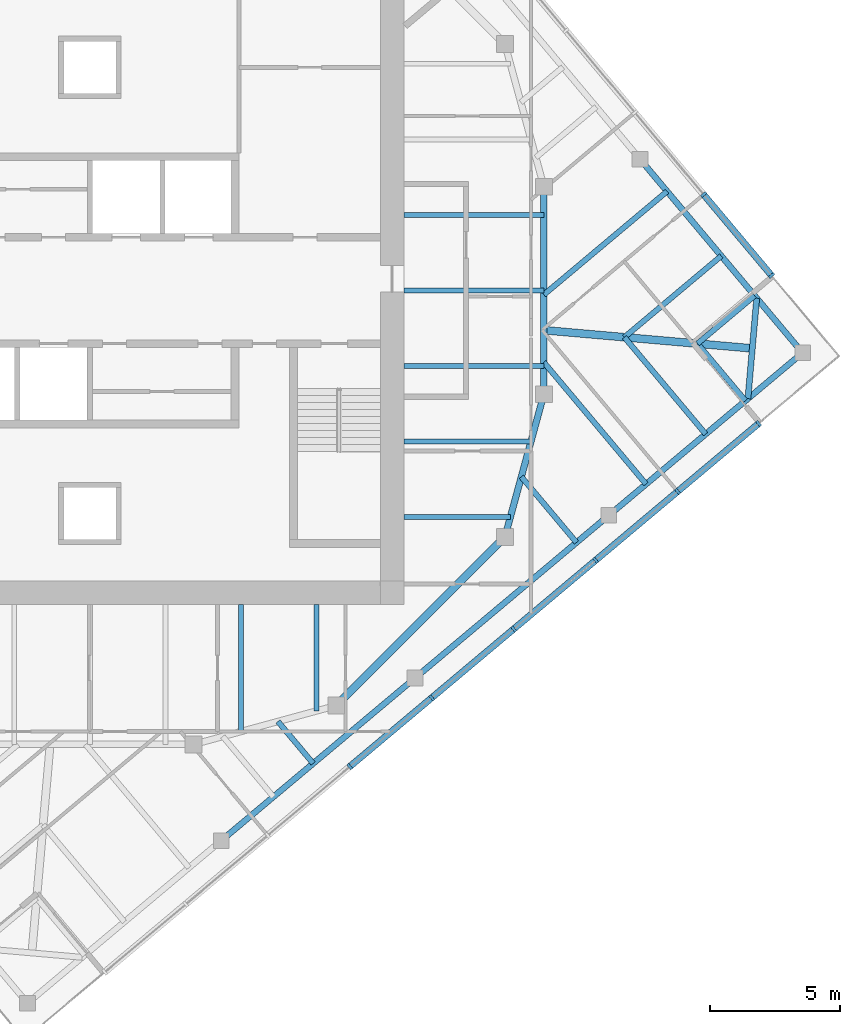
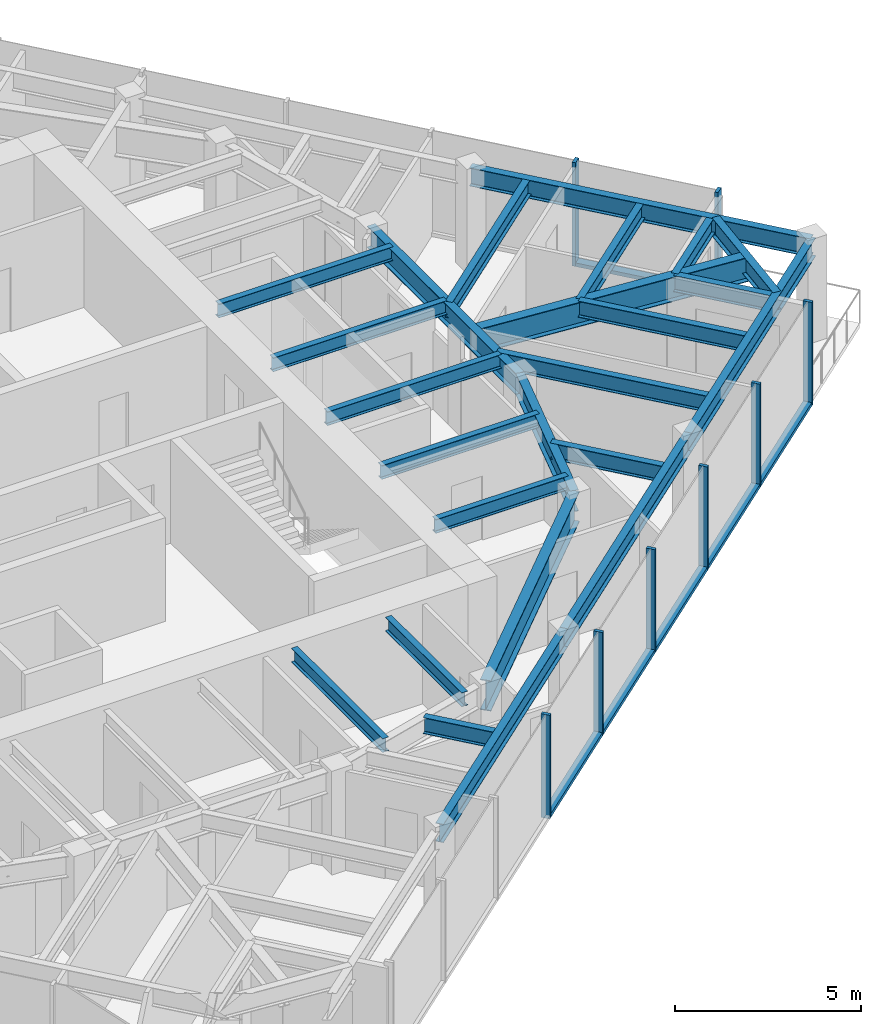
# One storey, part 3 of 12: 24 beams, 14 members, 2 elements without a shape of their own.
"""IFC4 building model written with IfcOpenShell, lengths in metres."""

from ifc_helpers import new_model, si_unit, direction, frame, origin, origin_2d, place, context, subcontext, project, spatial, rectangle, i_section, extrude, material, material_profile, profile_set, type_object, element, aggregate, save


model = new_model("IFC4")

# Units and contexts
model_context = context("Model", 3, precision=1e-05, world=origin(), true_north=direction((0.0, 1.0)))
body_context = subcontext(model_context, "Body", "Model", "MODEL_VIEW")
ifc_project = project(units=[si_unit("LENGTHUNIT", "METRE"), si_unit("AREAUNIT", "SQUARE_METRE"), si_unit("VOLUMEUNIT", "CUBIC_METRE"), si_unit("PLANEANGLEUNIT", "RADIAN"), si_unit("MASSUNIT", "GRAM", prefix="KILO")], contexts=[model_context])

# Site, building, storey
site_placement = place(None, origin())
site = spatial("IfcSite", under=ifc_project, at=site_placement, CompositionType="ELEMENT")
building_placement = place(site_placement, origin())
building = spatial("IfcBuilding", under=site, at=building_placement, Name="Torsade Residences", CompositionType="ELEMENT")
storey_placement = place(building_placement, frame((0.0, 0.0, 279.39990234375)))
storey = spatial("IfcBuildingStorey", under=building, at=storey_placement, Name="L77", CompositionType="ELEMENT", Elevation=279.39990234375)

# Beams
ifc_material_1 = material(Name="Steel grade 300", Category="steel")
ifc_material_profile_1 = material_profile(ifc_material_1, i_section(OverallWidth=0.300048828125, OverallDepth=0.800048828125, WebThickness=0.010009765625, FlangeThickness=0.02001953125, at=origin_2d()), Name="800WB146")
ifc_profile_set_1 = profile_set([ifc_material_profile_1], Name="Steel grade 300")
beam_type_1 = type_object("IfcBeamType", Name="CORNER GIRDER 800WB146", PredefinedType="BEAM", material=ifc_profile_set_1)
beam_1_placement = place(storey_placement, frame((65.53515625, 27.765869140625, 2.85009765625), z_axis=(-0.996193191806, 0.087172957961, 0.0), x_axis=(-0.087172957961, -0.996193191806, 0.0)))
element("IfcBeam", 1, at=beam_1_placement, inside=storey, type_object=beam_type_1, Name="Corner girder 05 L78", PredefinedType="BEAM", context=body_context, shape_type="SweptSolid", body=[
    extrude(i_section(OverallWidth=0.300048828125, OverallDepth=0.800048828125, WebThickness=0.010009765625, FlangeThickness=0.02001953125, at=origin_2d()), origin(), (0.0, 0.0, 1.0), 8.06591796875),
])
ifc_material_2 = material(Name="Steel grade 300", Category="steel")
ifc_material_profile_2 = material_profile(ifc_material_2, i_section(OverallWidth=0.22802734375, OverallDepth=0.60205078125, WebThickness=0.010498046875, FlangeThickness=0.014892578125, FilletRadius=0.013916015625, at=origin_2d()), Name="610UB101")
ifc_profile_set_2 = profile_set([ifc_material_profile_2], Name="Steel grade 300")
beam_type_2 = type_object("IfcBeamType", Name="CORNER TRIMMER 610UB101", PredefinedType="BEAM", material=ifc_profile_set_2)
beam_2_placement = place(storey_placement, frame((65.70458984375, 29.703125, 2.94921875), z_axis=(-0.087133464362, -0.996196646947, 0.0), x_axis=(0.996196646947, -0.087133464362, 0.0)))
element("IfcBeam", 2, at=beam_2_placement, inside=storey, type_object=beam_type_2, Name="Corner trimmer 05 L78", PredefinedType="BEAM", context=body_context, shape_type="SweptSolid", body=[
    extrude(i_section(OverallWidth=0.22802734375, OverallDepth=0.60205078125, WebThickness=0.010498046875, FlangeThickness=0.014892578125, FilletRadius=0.013916015625, at=origin_2d()), origin(), (0.0, 0.0, 1.0), 3.88916015625),
])
ifc_material_3 = material(Name="Steel grade 300", Category="steel")
ifc_material_profile_3 = material_profile(ifc_material_3, i_section(OverallWidth=0.22802734375, OverallDepth=0.60205078125, WebThickness=0.010498046875, FlangeThickness=0.014892578125, FilletRadius=0.013916015625, at=origin_2d()), Name="610UB101")
ifc_profile_set_3 = profile_set([ifc_material_profile_3], Name="Steel grade 300")
beam_type_3 = type_object("IfcBeamType", Name="EDGE BEAM 610UB101", PredefinedType="SPANDREL", material=ifc_profile_set_3)
for number, where, z_axis, x_axis, name in (
    (3, (45.0654296875, 8.794921875, 2.94921875), (0.766051532934, 0.642779160279, 0.0), (-0.642779160279, 0.766051532934, 0.0), "Edge beam 02 L78"),
    (4, (52.534423828125, 15.06201171875, 2.94921875), (0.766028856906, 0.642806184154, 0.0), (-0.642806184154, 0.766028856906, 0.0), "Edge beam 03 L78"),
    (5, (60.003173828125, 21.329345703125, 2.94921875), (0.766051532934, 0.642779160279, 0.0), (-0.642779160279, 0.766051532934, 0.0), "Edge beam 04 L78"),
    (6, (67.47216796875, 27.596435546875, 2.94921875), (-0.642779160279, 0.766051532934, 0.0), (-0.766051532934, -0.642779160279, 0.0), "Edge beam 05 L78"),
):
    element("IfcBeam", number, at=place(storey_placement, frame(where, z_axis=z_axis, x_axis=x_axis)), inside=storey, type_object=beam_type_3, Name=name, PredefinedType="SPANDREL", context=body_context, shape_type="SweptSolid", body=[
        extrude(i_section(OverallWidth=0.22802734375, OverallDepth=0.60205078125, WebThickness=0.010498046875, FlangeThickness=0.014892578125, FilletRadius=0.013916015625, at=origin_2d()), origin(), (0.0, 0.0, 1.0), 9.75),
    ])

# Curtain wall, members
ifc_material_4 = material(Name="Aluminium and glass", Category="aluminium")
curtain_wall_type = type_object("IfcCurtainWallType", Name="FRITTED GLASS CURTAIN WALL HIGH ZONE", PredefinedType="NOTDEFINED", material=ifc_material_4)
curtain_wall_1_placement = place(storey_placement, origin())
curtain_wall_1 = element("IfcCurtainWall", 7, at=curtain_wall_1_placement, inside=storey, type_object=curtain_wall_type, Name="Curtain wall L77 face 1", PredefinedType="NOTDEFINED")
ifc_material_5 = material(Name="Aluminium mullion", Category="aluminium")
ifc_material_profile_4 = material_profile(ifc_material_5, rectangle(XDim=0.25, YDim=0.10009765625, at=origin_2d()), Name="HIGH ZONE CURTAIN WALL MULLION 250x100")
ifc_profile_set_4 = profile_set([ifc_material_profile_4], Name="Aluminium mullion")
member_type_1 = type_object("IfcMemberType", Name="HIGH ZONE CURTAIN WALL MULLION 250x100", PredefinedType="MULLION", material=ifc_profile_set_4)
member_1_placement = place(storey_placement, frame((50.017333984375, 11.64453125, 0.0), z_axis=(0.0, 0.0, 1.0), x_axis=(-0.642787616853, 0.766044437106, 0.0)))
member_1 = element("IfcMember", 8, at=member_1_placement, type_object=member_type_1, Name="Mullion 4", PredefinedType="MULLION", context=body_context, shape_type="SweptSolid", body=[
    extrude(rectangle(XDim=0.25, YDim=0.10009765625, at=origin_2d()), origin(), (0.0, 0.0, 1.0), 3.400146484375),
])
member_2_placement = place(storey_placement, frame((53.17724609375, 14.296142578125, 0.0), z_axis=(0.0, 0.0, 1.0), x_axis=(-0.642787616853, 0.766044437106, 0.0)))
member_2 = element("IfcMember", 9, at=member_2_placement, type_object=member_type_1, Name="Mullion 5", PredefinedType="MULLION", context=body_context, shape_type="SweptSolid", body=[
    extrude(rectangle(XDim=0.25, YDim=0.10009765625, at=origin_2d()), origin(), (0.0, 0.0, 1.0), 3.400146484375),
])
member_3_placement = place(storey_placement, frame((56.337158203125, 16.947509765625, 0.0), z_axis=(0.0, 0.0, 1.0), x_axis=(-0.642787616853, 0.766044437106, 0.0)))
member_3 = element("IfcMember", 10, at=member_3_placement, type_object=member_type_1, Name="Mullion 6", PredefinedType="MULLION", context=body_context, shape_type="SweptSolid", body=[
    extrude(rectangle(XDim=0.25, YDim=0.10009765625, at=origin_2d()), origin(), (0.0, 0.0, 1.0), 3.400146484375),
])
member_4_placement = place(storey_placement, frame((59.4970703125, 19.59912109375, 0.0), z_axis=(0.0, 0.0, 1.0), x_axis=(-0.642787616853, 0.766044437106, 0.0)))
member_4 = element("IfcMember", 11, at=member_4_placement, type_object=member_type_1, Name="Mullion 7", PredefinedType="MULLION", context=body_context, shape_type="SweptSolid", body=[
    extrude(rectangle(XDim=0.25, YDim=0.10009765625, at=origin_2d()), origin(), (0.0, 0.0, 1.0), 3.400146484375),
])
member_5_placement = place(storey_placement, frame((62.656982421875, 22.25048828125, 0.0), z_axis=(0.0, 0.0, 1.0), x_axis=(-0.642787616853, 0.766044437106, 0.0)))
member_5 = element("IfcMember", 12, at=member_5_placement, type_object=member_type_1, Name="Mullion 8", PredefinedType="MULLION", context=body_context, shape_type="SweptSolid", body=[
    extrude(rectangle(XDim=0.25, YDim=0.10009765625, at=origin_2d()), origin(), (0.0, 0.0, 1.0), 3.400146484375),
])
member_6_placement = place(storey_placement, frame((65.778564453125, 24.869873046875, 0.0), z_axis=(0.0, 0.0, 1.0), x_axis=(-0.642787616853, 0.766044437106, 0.0)))
member_6 = element("IfcMember", 13, at=member_6_placement, type_object=member_type_1, Name="Mullion 9", PredefinedType="MULLION", context=body_context, shape_type="SweptSolid", body=[
    extrude(rectangle(XDim=0.25, YDim=0.10009765625, at=origin_2d()), origin(), (0.0, 0.0, 1.0), 3.400146484375),
])

curtain_wall_2_placement = place(storey_placement, origin())
curtain_wall_2 = element("IfcCurtainWall", 14, at=curtain_wall_2_placement, inside=storey, type_object=curtain_wall_type, Name="Curtain wall L77 face 4", PredefinedType="NOTDEFINED")
member_7_placement = place(storey_placement, frame((66.27783203125, 30.57568359375, 0.0), z_axis=(0.0, 0.0, 1.0), x_axis=(-0.766044437106, -0.642787616853, 0.0)))
member_7 = element("IfcMember", 15, at=member_7_placement, type_object=member_type_1, Name="Mullion 1", PredefinedType="MULLION", context=body_context, shape_type="SweptSolid", body=[
    extrude(rectangle(XDim=0.25, YDim=0.10009765625, at=origin_2d()), origin(), (0.0, 0.0, 1.0), 3.400146484375),
])
member_8_placement = place(storey_placement, frame((63.658447265625, 33.697265625, 0.0), z_axis=(0.0, 0.0, 1.0), x_axis=(-0.766044437106, -0.642787616853, 0.0)))
member_8 = element("IfcMember", 16, at=member_8_placement, type_object=member_type_1, Name="Mullion 2", PredefinedType="MULLION", context=body_context, shape_type="SweptSolid", body=[
    extrude(rectangle(XDim=0.25, YDim=0.10009765625, at=origin_2d()), origin(), (0.0, 0.0, 1.0), 3.400146484375),
])

# Member
ifc_material_6 = material(Name="Aluminium transom", Category="aluminium")
ifc_material_profile_5 = material_profile(ifc_material_6, rectangle(XDim=0.25, YDim=0.1201171875, at=origin_2d()), Name="HIGH ZONE CURTAIN WALL TRANSOM 250x120")
ifc_profile_set_5 = profile_set([ifc_material_profile_5], Name="Aluminium transom")
member_type_2 = type_object("IfcMemberType", Name="HIGH ZONE CURTAIN WALL TRANSOM 250x120", PredefinedType="USERDEFINED", material=ifc_profile_set_5)
member_9_placement = place(storey_placement, frame((50.055419921875, 11.6767578125, 0.06005859375), z_axis=(0.766069182322, 0.6427581255, 0.0), x_axis=(-0.6427581255, 0.766069182322, 0.0)))
member_9 = element("IfcMember", 17, at=member_9_placement, type_object=member_type_2, Name="Transom 4.1", ObjectType="TRANSOM", PredefinedType="USERDEFINED", context=body_context, shape_type="SweptSolid", body=[
    extrude(rectangle(XDim=0.25, YDim=0.1201171875, at=origin_2d()), origin(), (0.0, 0.0, 1.0), 4.025146484375),
])

member_10_placement = place(storey_placement, frame((53.21533203125, 14.328125, 0.06005859375), z_axis=(0.766039316443, 0.642793719372, 0.0), x_axis=(-0.642793719372, 0.766039316443, 0.0)))
member_10 = element("IfcMember", 18, at=member_10_placement, type_object=member_type_2, Name="Transom 5.1", ObjectType="TRANSOM", PredefinedType="USERDEFINED", context=body_context, shape_type="SweptSolid", body=[
    extrude(rectangle(XDim=0.25, YDim=0.1201171875, at=origin_2d()), origin(), (0.0, 0.0, 1.0), 4.025146484375),
])

member_11_placement = place(storey_placement, frame((56.37548828125, 16.979736328125, 0.06005859375), z_axis=(0.766044121803, 0.642787992616, 0.0), x_axis=(-0.642787992616, 0.766044121803, 0.0)))
member_11 = element("IfcMember", 19, at=member_11_placement, type_object=member_type_2, Name="Transom 6.1", ObjectType="TRANSOM", PredefinedType="USERDEFINED", context=body_context, shape_type="SweptSolid", body=[
    extrude(rectangle(XDim=0.25, YDim=0.1201171875, at=origin_2d()), origin(), (0.0, 0.0, 1.0), 4.02490234375),
])

member_12_placement = place(storey_placement, frame((59.535400390625, 19.63134765625, 0.06005859375), z_axis=(0.766044121803, 0.642787992616, 0.0), x_axis=(-0.642787992616, 0.766044121803, 0.0)))
member_12 = element("IfcMember", 20, at=member_12_placement, type_object=member_type_2, Name="Transom 7.1", ObjectType="TRANSOM", PredefinedType="USERDEFINED", context=body_context, shape_type="SweptSolid", body=[
    extrude(rectangle(XDim=0.25, YDim=0.1201171875, at=origin_2d()), origin(), (0.0, 0.0, 1.0), 4.02490234375),
])

member_13_placement = place(storey_placement, frame((62.6953125, 22.28271484375, 0.06005859375), z_axis=(0.766021778456, 0.642814619413, 0.0), x_axis=(-0.642814619413, 0.766021778456, 0.0)))
member_13 = element("IfcMember", 21, at=member_13_placement, type_object=member_type_2, Name="Transom 8.1", ObjectType="TRANSOM", PredefinedType="USERDEFINED", context=body_context, shape_type="SweptSolid", body=[
    extrude(rectangle(XDim=0.25, YDim=0.1201171875, at=origin_2d()), origin(), (0.0, 0.0, 1.0), 3.97509765625),
])

aggregate(curtain_wall_1, [member_1, member_2, member_3, member_4, member_5, member_6, member_9, member_10, member_11, member_12, member_13])

member_14_placement = place(storey_placement, frame((66.24560546875, 30.614013671875, 0.06005859375), z_axis=(-0.642814619413, 0.766021778456, 0.0), x_axis=(-0.766021778456, -0.642814619413, 0.0)))
member_14 = element("IfcMember", 22, at=member_14_placement, type_object=member_type_2, Name="Transom 1.1", ObjectType="TRANSOM", PredefinedType="USERDEFINED", context=body_context, shape_type="SweptSolid", body=[
    extrude(rectangle(XDim=0.25, YDim=0.1201171875, at=origin_2d()), origin(), (0.0, 0.0, 1.0), 3.97509765625),
])

aggregate(curtain_wall_2, [member_7, member_8, member_14])

# Beams
ifc_material_7 = material(Name="Steel grade 300", Category="steel")
ifc_material_profile_6 = material_profile(ifc_material_7, i_section(OverallWidth=0.18994140625, OverallDepth=0.4541015625, WebThickness=0.008544921875, FlangeThickness=0.0126953125, FilletRadius=0.011474609375, at=origin_2d()), Name="460UB67.1")
ifc_profile_set_6 = profile_set([ifc_material_profile_6], Name="Steel grade 300")
beam_type_4 = type_object("IfcBeamType", Name="INNER FLOOR BEAM 460UB67.1", PredefinedType="JOIST", material=ifc_profile_set_6)
beam_3_placement = place(storey_placement, frame((48.737548828125, 17.89990234375, 3.023193359375), z_axis=(0.0, -1.0, 0.0), x_axis=(1.0, 0.0, 0.0)))
element("IfcBeam", 23, at=beam_3_placement, inside=storey, type_object=beam_type_4, Name="Inner floor beam IS01 L78", PredefinedType="JOIST", context=body_context, shape_type="SweptSolid", body=[
    extrude(i_section(OverallWidth=0.18994140625, OverallDepth=0.4541015625, WebThickness=0.008544921875, FlangeThickness=0.0126953125, FilletRadius=0.011474609375, at=origin_2d()), origin(), (0.0, 0.0, 1.0), 4.10791015625),
])
beam_4_placement = place(storey_placement, frame((45.824951171875, 17.89990234375, 3.023193359375), z_axis=(0.0, -1.0, 0.0), x_axis=(1.0, 0.0, 0.0)))
element("IfcBeam", 24, at=beam_4_placement, inside=storey, type_object=beam_type_4, Name="Inner floor beam IS02 L78", PredefinedType="JOIST", context=body_context, shape_type="SweptSolid", body=[
    extrude(i_section(OverallWidth=0.18994140625, OverallDepth=0.4541015625, WebThickness=0.008544921875, FlangeThickness=0.0126953125, FilletRadius=0.011474609375, at=origin_2d()), origin(), (0.0, 0.0, 1.0), 4.902099609375),
])
beam_5_placement = place(storey_placement, frame((52.10009765625, 21.262451171875, 3.023193359375), z_axis=(1.0, 0.0, 0.0), x_axis=(0.0, 1.0, 0.0)))
element("IfcBeam", 25, at=beam_5_placement, inside=storey, type_object=beam_type_4, Name="Inner floor beam IE01 L78", PredefinedType="JOIST", context=body_context, shape_type="SweptSolid", body=[
    extrude(i_section(OverallWidth=0.18994140625, OverallDepth=0.4541015625, WebThickness=0.008544921875, FlangeThickness=0.0126953125, FilletRadius=0.011474609375, at=origin_2d()), origin(), (0.0, 0.0, 1.0), 4.10791015625),
])
beam_6_placement = place(storey_placement, frame((52.10009765625, 24.175048828125, 3.023193359375), z_axis=(1.0, 0.0, 0.0), x_axis=(0.0, 1.0, 0.0)))
element("IfcBeam", 26, at=beam_6_placement, inside=storey, type_object=beam_type_4, Name="Inner floor beam IE02 L78", PredefinedType="JOIST", context=body_context, shape_type="SweptSolid", body=[
    extrude(i_section(OverallWidth=0.18994140625, OverallDepth=0.4541015625, WebThickness=0.008544921875, FlangeThickness=0.0126953125, FilletRadius=0.011474609375, at=origin_2d()), origin(), (0.0, 0.0, 1.0), 4.902099609375),
])
for number, where, z_axis, x_axis, name in (
    (27, (52.10009765625, 27.08740234375, 3.023193359375), (1.0, 0.0, 0.0), (0.0, 1.0, 0.0), "Inner floor beam IE03 L78"),
    (28, (52.10009765625, 30.0, 3.023193359375), (1.0, 0.0, 0.0), (0.0, 1.0, 0.0), "Inner floor beam IE04 L78"),
    (29, (52.10009765625, 32.91259765625, 3.023193359375), (1.0, 0.0, 0.0), (0.0, 1.0, 0.0), "Inner floor beam IE05 L78"),
):
    element("IfcBeam", number, at=place(storey_placement, frame(where, z_axis=z_axis, x_axis=x_axis)), inside=storey, type_object=beam_type_4, Name=name, PredefinedType="JOIST", context=body_context, shape_type="SweptSolid", body=[
        extrude(i_section(OverallWidth=0.18994140625, OverallDepth=0.4541015625, WebThickness=0.008544921875, FlangeThickness=0.0126953125, FilletRadius=0.011474609375, at=origin_2d()), origin(), (0.0, 0.0, 1.0), 5.39990234375),
    ])
ifc_material_8 = material(Name="Steel grade 300", Category="steel")
ifc_material_profile_7 = material_profile(ifc_material_8, i_section(OverallWidth=0.300048828125, OverallDepth=1.0, WebThickness=0.01611328125, FlangeThickness=0.028076171875, at=origin_2d()), Name="1000WB215")
ifc_profile_set_7 = profile_set([ifc_material_profile_7], Name="Steel grade 300")
beam_type_5 = type_object("IfcBeamType", Name="RING CORNER GIRDER 1000WB215", PredefinedType="BEAM", material=ifc_profile_set_7)
beam_7_placement = place(storey_placement, frame((49.5, 14.0, 2.75), z_axis=(0.707106781187, 0.707106781187, 0.0), x_axis=(-0.707106781187, 0.707106781187, 0.0)))
element("IfcBeam", 30, at=beam_7_placement, inside=storey, type_object=beam_type_5, Name="Ring girder IR15 L78", PredefinedType="BEAM", context=body_context, shape_type="SweptSolid", body=[
    extrude(i_section(OverallWidth=0.300048828125, OverallDepth=1.0, WebThickness=0.01611328125, FlangeThickness=0.028076171875, at=origin_2d()), origin(), (0.0, 0.0, 1.0), 9.1923828125),
])
ifc_material_9 = material(Name="Steel grade 300", Category="steel")
ifc_material_profile_8 = material_profile(ifc_material_9, i_section(OverallWidth=0.25, OverallDepth=0.699951171875, WebThickness=0.010009765625, FlangeThickness=0.02001953125, at=origin_2d()), Name="700WB130")
ifc_profile_set_8 = profile_set([ifc_material_profile_8], Name="Steel grade 300")
beam_type_6 = type_object("IfcBeamType", Name="RING GIRDER 700WB130", PredefinedType="BEAM", material=ifc_profile_set_8)
beam_8_placement = place(storey_placement, frame((57.5, 26.0, 2.900146484375), z_axis=(0.0, 1.0, 0.0), x_axis=(-1.0, 0.0, 0.0)))
element("IfcBeam", 31, at=beam_8_placement, inside=storey, type_object=beam_type_6, Name="Ring girder IR01 L78", PredefinedType="BEAM", context=body_context, shape_type="SweptSolid", body=[
    extrude(i_section(OverallWidth=0.25, OverallDepth=0.699951171875, WebThickness=0.010009765625, FlangeThickness=0.02001953125, at=origin_2d()), origin(), (0.0, 0.0, 1.0), 8.0),
])
beam_9_placement = place(storey_placement, frame((56.0, 20.5, 2.900146484375), z_axis=(0.263117405792, 0.964763821238, 0.0), x_axis=(-0.964763821238, 0.263117405792, 0.0)))
element("IfcBeam", 32, at=beam_9_placement, inside=storey, type_object=beam_type_6, Name="Ring girder IR16 L78", PredefinedType="BEAM", context=body_context, shape_type="SweptSolid", body=[
    extrude(i_section(OverallWidth=0.25, OverallDepth=0.699951171875, WebThickness=0.010009765625, FlangeThickness=0.02001953125, at=origin_2d()), origin(), (0.0, 0.0, 1.0), 5.700927734375),
])
ifc_material_10 = material(Name="Steel grade 300", Category="steel")
ifc_material_profile_9 = material_profile(ifc_material_10, i_section(OverallWidth=0.208984375, OverallDepth=0.532958984375, WebThickness=0.01025390625, FlangeThickness=0.015625, FilletRadius=0.013916015625, at=origin_2d()), Name="530UB92.4")
ifc_profile_set_9 = profile_set([ifc_material_profile_9], Name="Steel grade 300")
beam_type_7 = type_object("IfcBeamType", Name="SECONDARY BEAM 530UB92.4", PredefinedType="JOIST", material=ifc_profile_set_9)
beam_10_placement = place(storey_placement, frame((48.6083984375, 11.767822265625, 2.983642578125), z_axis=(-0.642771977004, 0.766057560226, 0.0), x_axis=(-0.766057560226, -0.642771977004, 0.0)))
element("IfcBeam", 33, at=beam_10_placement, inside=storey, type_object=beam_type_7, Name="Floor beam FS05 L78", PredefinedType="JOIST", context=body_context, shape_type="SweptSolid", body=[
    extrude(i_section(OverallWidth=0.208984375, OverallDepth=0.532958984375, WebThickness=0.01025390625, FlangeThickness=0.015625, FilletRadius=0.013916015625, at=origin_2d()), origin(), (0.0, 0.0, 1.0), 2.113037109375),
])
beam_11_placement = place(storey_placement, frame((58.758544921875, 20.28466796875, 2.983642578125), z_axis=(-0.642786956891, 0.766044990879, 0.0), x_axis=(-0.766044990879, -0.642786956891, 0.0)))
element("IfcBeam", 34, at=beam_11_placement, inside=storey, type_object=beam_type_7, Name="Floor beam FS09 L78", PredefinedType="JOIST", context=body_context, shape_type="SweptSolid", body=[
    extrude(i_section(OverallWidth=0.208984375, OverallDepth=0.532958984375, WebThickness=0.01025390625, FlangeThickness=0.015625, FilletRadius=0.013916015625, at=origin_2d()), origin(), (0.0, 0.0, 1.0), 3.307861328125),
])
beam_12_placement = place(storey_placement, frame((61.439697265625, 22.534423828125, 2.983642578125), z_axis=(-0.642794037701, 0.766039049329, 0.0), x_axis=(-0.766039049329, -0.642794037701, 0.0)))
element("IfcBeam", 35, at=beam_12_placement, inside=storey, type_object=beam_type_7, Name="Floor beam FS10 L78", PredefinedType="JOIST", context=body_context, shape_type="SweptSolid", body=[
    extrude(i_section(OverallWidth=0.208984375, OverallDepth=0.532958984375, WebThickness=0.01025390625, FlangeThickness=0.015625, FilletRadius=0.013916015625, at=origin_2d()), origin(), (0.0, 0.0, 1.0), 6.12890625),
])
beam_13_placement = place(storey_placement, frame((63.73779296875, 24.462890625, 2.983642578125), z_axis=(-0.642791490223, 0.766041186946, 0.0), x_axis=(-0.766041186946, -0.642791490223, 0.0)))
element("IfcBeam", 36, at=beam_13_placement, inside=storey, type_object=beam_type_7, Name="Floor beam FS11 L78", PredefinedType="JOIST", context=body_context, shape_type="SweptSolid", body=[
    extrude(i_section(OverallWidth=0.208984375, OverallDepth=0.532958984375, WebThickness=0.01025390625, FlangeThickness=0.015625, FilletRadius=0.013916015625, at=origin_2d()), origin(), (0.0, 0.0, 1.0), 4.875),
])
for number, where, z_axis, x_axis, name in (
    (37, (65.269775390625, 25.74853515625, 2.983642578125), (-0.642761807001, 0.766066093402, 0.0), (-0.766066093402, -0.642761807001, 0.0), "Floor beam FS12 L78"),
    (38, (65.624267578125, 29.798828125, 2.983642578125), (-0.766066093402, -0.642761807001, 0.0), (0.642761807001, -0.766066093402, 0.0), "Floor beam FE01 L78"),
):
    element("IfcBeam", number, at=place(storey_placement, frame(where, z_axis=z_axis, x_axis=x_axis)), inside=storey, type_object=beam_type_7, Name=name, PredefinedType="JOIST", context=body_context, shape_type="SweptSolid", body=[
        extrude(i_section(OverallWidth=0.208984375, OverallDepth=0.532958984375, WebThickness=0.01025390625, FlangeThickness=0.015625, FilletRadius=0.013916015625, at=origin_2d()), origin(), (0.0, 0.0, 1.0), 2.875),
    ])
beam_14_placement = place(storey_placement, frame((64.338623046875, 31.3310546875, 2.983642578125), z_axis=(-0.766016526982, -0.642820877376, 0.0), x_axis=(0.642820877376, -0.766016526982, 0.0)))
element("IfcBeam", 39, at=beam_14_placement, inside=storey, type_object=beam_type_7, Name="Floor beam FE02 L78", PredefinedType="JOIST", context=body_context, shape_type="SweptSolid", body=[
    extrude(i_section(OverallWidth=0.208984375, OverallDepth=0.532958984375, WebThickness=0.01025390625, FlangeThickness=0.015625, FilletRadius=0.013916015625, at=origin_2d()), origin(), (0.0, 0.0, 1.0), 4.875),
])
beam_15_placement = place(storey_placement, frame((62.24951171875, 33.820556640625, 2.983642578125), z_axis=(-0.766041422722, -0.642791209238, 0.0), x_axis=(0.642791209238, -0.766041422722, 0.0)))
element("IfcBeam", 40, at=beam_15_placement, inside=storey, type_object=beam_type_7, Name="Floor beam FE03 L78", PredefinedType="JOIST", context=body_context, shape_type="SweptSolid", body=[
    extrude(i_section(OverallWidth=0.208984375, OverallDepth=0.532958984375, WebThickness=0.01025390625, FlangeThickness=0.015625, FilletRadius=0.013916015625, at=origin_2d()), origin(), (0.0, 0.0, 1.0), 6.199951171875),
])

save(model, "model.ifc")
